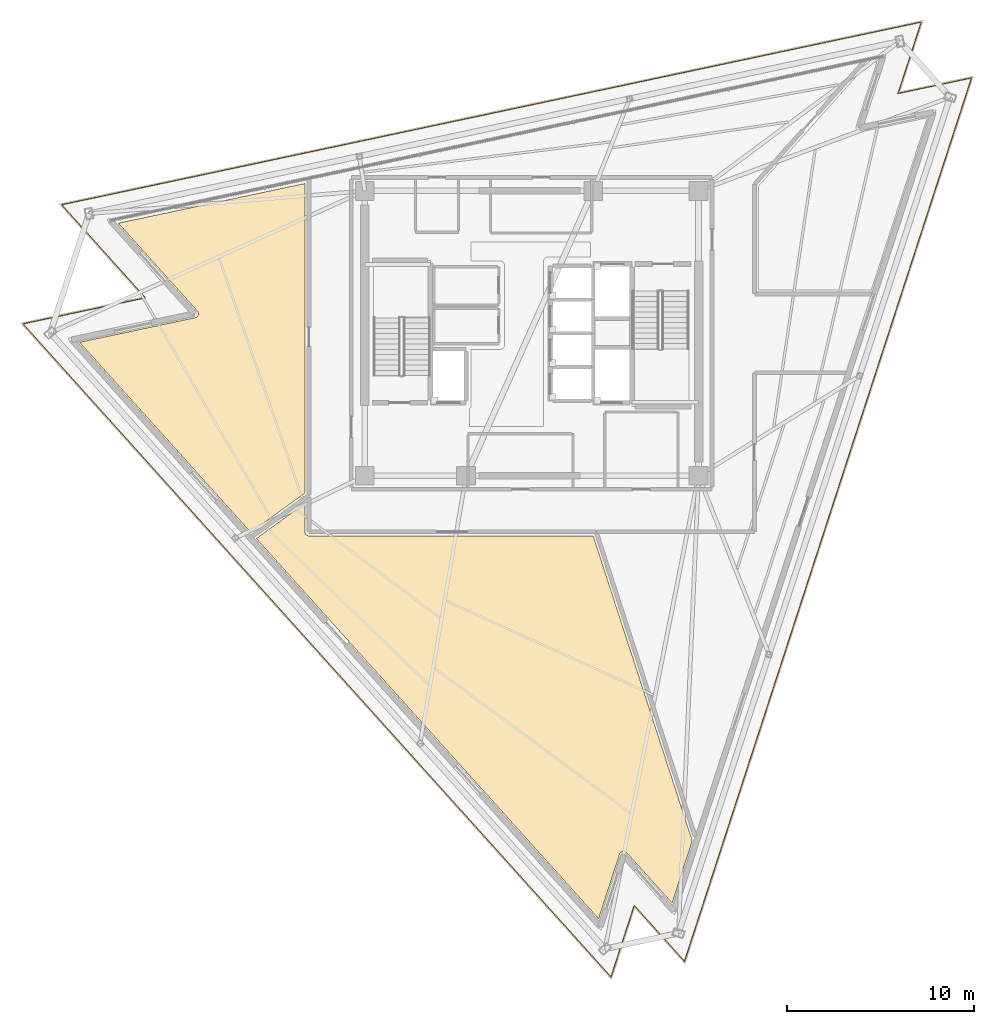
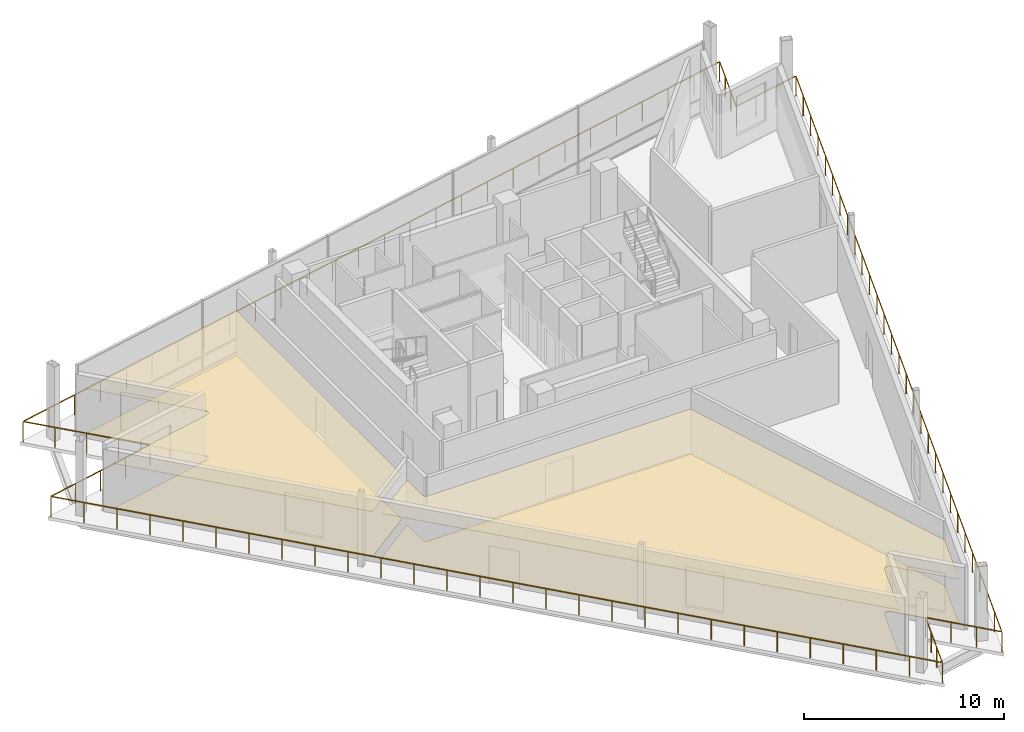
# One storey, part 9 of 11: 4 coverings, 1 railing.
"""IFC4 building model written with IfcOpenShell, lengths in metres."""

from ifc_helpers import new_model, si_unit, direction, frame, origin, origin_2d, place, context, subcontext, project, spatial, polyline, rectangle, outline, extrude, material, layer, layer_set, type_object, element, save


model = new_model("IFC4")

# Units and contexts
model_context = context("Model", 3, precision=1e-05, world=origin(), true_north=direction((0.0, 1.0)))
body_context = subcontext(model_context, "Body", "Model", "MODEL_VIEW")
ifc_project = project(units=[si_unit("LENGTHUNIT", "METRE"), si_unit("AREAUNIT", "SQUARE_METRE"), si_unit("VOLUMEUNIT", "CUBIC_METRE"), si_unit("PLANEANGLEUNIT", "RADIAN"), si_unit("MASSUNIT", "GRAM", prefix="KILO")], contexts=[model_context])

# Site, building, storey
site_placement = place(None, origin())
site = spatial("IfcSite", under=ifc_project, at=site_placement, CompositionType="ELEMENT")
building_placement = place(site_placement, origin())
building = spatial("IfcBuilding", under=site, at=building_placement, Name="Tharavind Bronze Gate", CompositionType="ELEMENT")
storey_placement = place(building_placement, frame((0.0, 0.0, 306.300048828125)))
storey = spatial("IfcBuildingStorey", under=building, at=storey_placement, Name="L79", CompositionType="ELEMENT", Elevation=306.300048828125)

# Coverings
ifc_material_1 = material(Name="Engineered Oak & Carpet Tile", Category="wood")
ifc_layer_1 = layer(ifc_material_1, 0.02490234375)
ifc_layer_set_1 = layer_set([ifc_layer_1], Name="Engineered Oak & Carpet Tile")
covering_type_1 = type_object("IfcCoveringType", Name="ENGINEERED TIMBER FLOORING", PredefinedType="FLOORING", material=ifc_layer_set_1)
covering_1_placement = place(storey_placement, origin())
element("IfcCovering", 1, at=covering_1_placement, inside=storey, type_object=covering_type_1, Name="L79-RM-02 floor finish", PredefinedType="FLOORING", context=body_context, shape_type="SweptSolid", body=[
    extrude(outline(polyline([(-14.9873046875, -10.616943359375), (-12.10009765625, -8.519287109375), (-12.10009765625, 7.993896484375), (-22.0546875, 5.8779296875), (-17.84033203125, 1.197265625), (-17.833251953125, 1.18896484375), (-17.832763671875, 1.1884765625), (-17.81982421875, 1.1708984375), (-17.80859375, 1.15185546875), (-17.799560546875, 1.132080078125), (-17.792236328125, 1.111328125), (-17.787109375, 1.090087890625), (-17.7841796875, 1.068115234375), (-17.783447265625, 1.04638671875), (-17.784912109375, 1.0244140625), (-17.78857421875, 1.002685546875), (-17.794189453125, 0.981689453125), (-17.802001953125, 0.961181640625), (-17.811767578125, 0.94140625), (-17.823486328125, 0.923095703125), (-17.837158203125, 0.90576171875), (-17.852294921875, 0.889892578125), (-17.868896484375, 0.87548828125), (-17.886962890625, 0.863037109375), (-17.906005859375, 0.852294921875), (-17.92626953125, 0.843505859375), (-17.947021484375, 0.8369140625), (-17.947509765625, 0.8369140625), (-17.958251953125, 0.834228515625), (-24.118896484375, -0.47509765625), (-14.9873046875, -10.616943359375)])), origin(), (0.0, 0.0, 1.0), 0.02490234375),
])
ifc_material_2 = material(Name="Acoustic Gypsum Board", Category="gypsum")
ifc_layer_2 = layer(ifc_material_2, 0.030029296875)
ifc_layer_set_2 = layer_set([ifc_layer_2], Name="Acoustic Gypsum Board")
covering_type_2 = type_object("IfcCoveringType", Name="GYPSUM SUSPENDED CEILING", PredefinedType="CEILING", material=ifc_layer_set_2)
covering_2_placement = place(storey_placement, frame((0.0, 0.0, 2.75)))
element("IfcCovering", 2, at=covering_2_placement, inside=storey, type_object=covering_type_2, Name="L79-RM-02 suspended ceiling", PredefinedType="CEILING", context=body_context, shape_type="SweptSolid", body=[
    extrude(outline(polyline([(-14.9873046875, -10.616943359375), (-12.10009765625, -8.519287109375), (-12.10009765625, 7.993896484375), (-22.0546875, 5.8779296875), (-17.84033203125, 1.197265625), (-17.833251953125, 1.18896484375), (-17.832763671875, 1.1884765625), (-17.81982421875, 1.1708984375), (-17.80859375, 1.15185546875), (-17.799560546875, 1.132080078125), (-17.792236328125, 1.111328125), (-17.787109375, 1.090087890625), (-17.7841796875, 1.068115234375), (-17.783447265625, 1.04638671875), (-17.784912109375, 1.0244140625), (-17.78857421875, 1.002685546875), (-17.794189453125, 0.981689453125), (-17.802001953125, 0.961181640625), (-17.811767578125, 0.94140625), (-17.823486328125, 0.923095703125), (-17.837158203125, 0.90576171875), (-17.852294921875, 0.889892578125), (-17.868896484375, 0.87548828125), (-17.886962890625, 0.863037109375), (-17.906005859375, 0.852294921875), (-17.92626953125, 0.843505859375), (-17.947021484375, 0.8369140625), (-17.947509765625, 0.8369140625), (-17.958251953125, 0.834228515625), (-24.118896484375, -0.47509765625), (-14.9873046875, -10.616943359375)])), origin(), (0.0, 0.0, 1.0), 0.034912109375),
])
covering_3_placement = place(storey_placement, frame((0.0, 0.0, 2.75)))
element("IfcCovering", 3, at=covering_3_placement, inside=storey, type_object=covering_type_2, Name="L79-RM-03 suspended ceiling", PredefinedType="CEILING", context=body_context, shape_type="SweptSolid", body=[
    extrude(outline(polyline([(3.56787109375, -31.224609375), (4.6884765625, -27.77587890625), (4.692138671875, -27.765380859375), (4.6923828125, -27.764892578125), (4.701171875, -27.744873046875), (4.7119140625, -27.7255859375), (4.724609375, -27.707763671875), (4.739013671875, -27.691162109375), (4.7548828125, -27.676025390625), (4.772216796875, -27.66259765625), (4.790771484375, -27.651123046875), (4.810302734375, -27.641357421875), (4.8310546875, -27.6337890625), (4.852294921875, -27.628173828125), (4.873779296875, -27.62451171875), (4.895751953125, -27.623291015625), (4.91748046875, -27.6240234375), (4.939208984375, -27.627197265625), (4.960693359375, -27.63232421875), (4.981201171875, -27.6396484375), (5.001220703125, -27.64892578125), (5.02001953125, -27.660400390625), (5.03759765625, -27.67333984375), (5.053955078125, -27.68798828125), (5.05419921875, -27.6884765625), (5.061767578125, -27.696533203125), (7.48828125, -30.391357421875), (8.56591796875, -27.074951171875), (3.27783203125, -10.800048828125), (-11.87939453125, -10.800048828125), (-11.89013671875, -10.7998046875), (-11.890869140625, -10.7998046875), (-11.912353515625, -10.797607421875), (-11.933349609375, -10.79345703125), (-11.9541015625, -10.787109375), (-11.97412109375, -10.77880859375), (-11.9931640625, -10.768798828125), (-12.010986328125, -10.756591796875), (-12.027587890625, -10.742919921875), (-12.04296875, -10.727783203125), (-12.056640625, -10.7109375), (-12.068603515625, -10.693115234375), (-12.078857421875, -10.674072265625), (-12.087158203125, -10.654052734375), (-12.093505859375, -10.63330078125), (-12.09765625, -10.6123046875), (-12.099609375, -10.5908203125), (-12.099609375, -10.590087890625), (-12.10009765625, -10.579345703125), (-12.10009765625, -9.06298828125), (-14.691162109375, -10.94580078125), (3.56787109375, -31.224609375)])), origin(), (0.0, 0.0, 1.0), 0.034912109375),
])
ifc_material_3 = material(Name="Honed Travertine Limestone", Category="masonry")
ifc_layer_3 = layer(ifc_material_3, 0.030029296875)
ifc_layer_set_3 = layer_set([ifc_layer_3], Name="Honed Travertine Limestone")
covering_type_3 = type_object("IfcCoveringType", Name="HONED LIMESTONE FLOORING", PredefinedType="FLOORING", material=ifc_layer_set_3)
covering_4_placement = place(storey_placement, origin())
element("IfcCovering", 4, at=covering_4_placement, inside=storey, type_object=covering_type_3, Name="L79-RM-03 floor finish", PredefinedType="FLOORING", context=body_context, shape_type="SweptSolid", body=[
    extrude(outline(polyline([(3.56787109375, -31.224609375), (4.6884765625, -27.77587890625), (4.692138671875, -27.765380859375), (4.6923828125, -27.764892578125), (4.701171875, -27.744873046875), (4.7119140625, -27.7255859375), (4.724609375, -27.707763671875), (4.739013671875, -27.691162109375), (4.7548828125, -27.676025390625), (4.772216796875, -27.66259765625), (4.790771484375, -27.651123046875), (4.810302734375, -27.641357421875), (4.8310546875, -27.6337890625), (4.852294921875, -27.628173828125), (4.873779296875, -27.62451171875), (4.895751953125, -27.623291015625), (4.91748046875, -27.6240234375), (4.939208984375, -27.627197265625), (4.960693359375, -27.63232421875), (4.981201171875, -27.6396484375), (5.001220703125, -27.64892578125), (5.02001953125, -27.660400390625), (5.03759765625, -27.67333984375), (5.053955078125, -27.68798828125), (5.05419921875, -27.6884765625), (5.061767578125, -27.696533203125), (7.48828125, -30.391357421875), (8.56591796875, -27.074951171875), (3.27783203125, -10.800048828125), (-11.87939453125, -10.800048828125), (-11.89013671875, -10.7998046875), (-11.890869140625, -10.7998046875), (-11.912353515625, -10.797607421875), (-11.933349609375, -10.79345703125), (-11.9541015625, -10.787109375), (-11.97412109375, -10.77880859375), (-11.9931640625, -10.768798828125), (-12.010986328125, -10.756591796875), (-12.027587890625, -10.742919921875), (-12.04296875, -10.727783203125), (-12.056640625, -10.7109375), (-12.068603515625, -10.693115234375), (-12.078857421875, -10.674072265625), (-12.087158203125, -10.654052734375), (-12.093505859375, -10.63330078125), (-12.09765625, -10.6123046875), (-12.099609375, -10.5908203125), (-12.099609375, -10.590087890625), (-12.10009765625, -10.579345703125), (-12.10009765625, -9.06298828125), (-14.691162109375, -10.94580078125), (3.56787109375, -31.224609375)])), origin(), (0.0, 0.0, 1.0), 0.02490234375),
])

# Railing
ifc_material_4 = material(Name="Patinated Bronze & Laminated Glass", Category="glass")
railing_type = type_object("IfcRailingType", Name="OBSERVATION BALUSTRADE 1250", PredefinedType="BALUSTRADE", material=ifc_material_4)
railing_placement = place(storey_placement, frame((-25.0791015625, 6.860595703125, 0.0)))
element("IfcRailing", 5, at=railing_placement, inside=storey, type_object=railing_type, Name="L79 open lookout observation deck bronze balustrade", PredefinedType="BALUSTRADE", context=body_context, shape_type="SweptSolid", body=[
    extrude(rectangle(XDim=0.048095703125, YDim=0.048095703125, at=origin_2d()), frame((0.021484375, -0.023681640625, 1.22607421875), z_axis=(0.669132313306, -0.743143288532, 0.0), x_axis=(0.743143288532, 0.669132313306, 0.0)), (0.0, 0.0, 1.0), 6.615966796875),
    extrude(rectangle(XDim=0.048095703125, YDim=0.048095703125, at=origin_2d()), frame((4.4384765625, -4.970703125, 1.22607421875), z_axis=(-0.978145008547, -0.207923885724, 0.0), x_axis=(0.207923885724, -0.978145008547, 0.0)), (0.0, 0.0, 1.0), 6.615966796875),
    extrude(rectangle(XDim=0.048095703125, YDim=0.048095703125, at=origin_2d()), frame((-2.042724609375, -6.376708984375, 1.22607421875), z_axis=(0.669127547758, -0.743147579442, 0.0), x_axis=(0.743147579442, 0.669127547758, 0.0)), (0.0, 0.0, 1.0), 46.8212890625),
    extrude(rectangle(XDim=0.048095703125, YDim=0.048095703125, at=origin_2d()), frame((29.318115234375, -41.165283203125, 1.22607421875), z_axis=(0.309000678849, 0.951061817376, 0.0), x_axis=(-0.951061817376, 0.309000678849, 0.0)), (0.0, 0.0, 1.0), 3.944091796875),
    extrude(rectangle(XDim=0.048095703125, YDim=0.048095703125, at=origin_2d()), frame((30.568115234375, -37.407470703125, 1.22607421875), z_axis=(0.669132983361, -0.743142685208, 0.0), x_axis=(0.743142685208, 0.669132983361, 0.0)), (0.0, 0.0, 1.0), 3.944091796875),
    extrude(rectangle(XDim=0.048095703125, YDim=0.048095703125, at=origin_2d()), frame((33.238525390625, -40.331787109375, 1.22607421875), z_axis=(0.309021128314, 0.951055173087, 0.0), x_axis=(-0.951055173087, 0.309021128314, 0.0)), (0.0, 0.0, 1.0), 49.4931640625),
    extrude(rectangle(XDim=0.048095703125, YDim=0.048095703125, at=origin_2d()), frame((48.511474609375, 6.7626953125, 1.22607421875), z_axis=(-0.97815049033, -0.207898095871, 0.0), x_axis=(0.207898095871, -0.97815049033, 0.0)), (0.0, 0.0, 1.0), 3.944091796875),
    extrude(rectangle(XDim=0.048095703125, YDim=0.048095703125, at=origin_2d()), frame((44.63232421875, 5.966552734375, 1.22607421875), z_axis=(0.309000678849, 0.951061817376, 0.0), x_axis=(-0.951061817376, 0.309000678849, 0.0)), (0.0, 0.0, 1.0), 3.944091796875),
    extrude(rectangle(XDim=0.048095703125, YDim=0.048095703125, at=origin_2d()), frame((45.82958984375, 9.741455078125, 1.22607421875), z_axis=(-0.978147494713, -0.207912189607, 0.0), x_axis=(0.207912189607, -0.978147494713, 0.0)), (0.0, 0.0, 1.0), 46.8212890625),
    extrude(rectangle(XDim=0.0400390625, YDim=0.0400390625, at=origin_2d()), origin(), (0.0, 0.0, 1.0), 1.197998046875),
    extrude(rectangle(XDim=0.0400390625, YDim=0.0400390625, at=origin_2d()), frame((1.117431640625, -1.240966796875, 0.0)), (0.0, 0.0, 1.0), 1.197998046875),
    extrude(rectangle(XDim=0.0400390625, YDim=0.0400390625, at=origin_2d()), frame((2.23486328125, -2.48193359375, 0.0)), (0.0, 0.0, 1.0), 1.197998046875),
    extrude(rectangle(XDim=0.0400390625, YDim=0.0400390625, at=origin_2d()), frame((3.352294921875, -3.72314453125, 0.0)), (0.0, 0.0, 1.0), 1.197998046875),
    extrude(rectangle(XDim=0.0400390625, YDim=0.0400390625, at=origin_2d()), frame((4.4697265625, -4.964111328125, 0.0)), (0.0, 0.0, 1.0), 1.197998046875),
    extrude(rectangle(XDim=0.0400390625, YDim=0.0400390625, at=origin_2d()), frame((2.836181640625, -5.311279296875, 0.0)), (0.0, 0.0, 1.0), 1.197998046875),
    extrude(rectangle(XDim=0.0400390625, YDim=0.0400390625, at=origin_2d()), frame((1.20263671875, -5.65869140625, 0.0)), (0.0, 0.0, 1.0), 1.197998046875),
    extrude(rectangle(XDim=0.0400390625, YDim=0.0400390625, at=origin_2d()), frame((-0.4306640625, -6.005859375, 0.0)), (0.0, 0.0, 1.0), 1.197998046875),
    extrude(rectangle(XDim=0.0400390625, YDim=0.0400390625, at=origin_2d()), frame((-2.064208984375, -6.35302734375, 0.0)), (0.0, 0.0, 1.0), 1.197998046875),
    extrude(rectangle(XDim=0.0400390625, YDim=0.0400390625, at=origin_2d()), frame((-0.90234375, -7.6435546875, 0.0)), (0.0, 0.0, 1.0), 1.197998046875),
    extrude(rectangle(XDim=0.0400390625, YDim=0.0400390625, at=origin_2d()), frame((0.259765625, -8.93408203125, 0.0)), (0.0, 0.0, 1.0), 1.197998046875),
    extrude(rectangle(XDim=0.0400390625, YDim=0.0400390625, at=origin_2d()), frame((1.421630859375, -10.224365234375, 0.0)), (0.0, 0.0, 1.0), 1.197998046875),
    extrude(rectangle(XDim=0.0400390625, YDim=0.0400390625, at=origin_2d()), frame((2.58349609375, -11.514892578125, 0.0)), (0.0, 0.0, 1.0), 1.197998046875),
    extrude(rectangle(XDim=0.0400390625, YDim=0.0400390625, at=origin_2d()), frame((3.745361328125, -12.805419921875, 0.0)), (0.0, 0.0, 1.0), 1.197998046875),
    extrude(rectangle(XDim=0.0400390625, YDim=0.0400390625, at=origin_2d()), frame((4.907470703125, -14.095947265625, 0.0)), (0.0, 0.0, 1.0), 1.197998046875),
    extrude(rectangle(XDim=0.0400390625, YDim=0.0400390625, at=origin_2d()), frame((6.0693359375, -15.38623046875, 0.0)), (0.0, 0.0, 1.0), 1.197998046875),
    extrude(rectangle(XDim=0.0400390625, YDim=0.0400390625, at=origin_2d()), frame((7.231201171875, -16.6767578125, 0.0)), (0.0, 0.0, 1.0), 1.197998046875),
    extrude(rectangle(XDim=0.0400390625, YDim=0.0400390625, at=origin_2d()), frame((8.393310546875, -17.96728515625, 0.0)), (0.0, 0.0, 1.0), 1.197998046875),
    extrude(rectangle(XDim=0.0400390625, YDim=0.0400390625, at=origin_2d()), frame((9.55517578125, -19.2578125, 0.0)), (0.0, 0.0, 1.0), 1.197998046875),
    extrude(rectangle(XDim=0.0400390625, YDim=0.0400390625, at=origin_2d()), frame((10.717041015625, -20.54833984375, 0.0)), (0.0, 0.0, 1.0), 1.197998046875),
    extrude(rectangle(XDim=0.0400390625, YDim=0.0400390625, at=origin_2d()), frame((11.879150390625, -21.838623046875, 0.0)), (0.0, 0.0, 1.0), 1.197998046875),
    extrude(rectangle(XDim=0.0400390625, YDim=0.0400390625, at=origin_2d()), frame((13.041015625, -23.129150390625, 0.0)), (0.0, 0.0, 1.0), 1.197998046875),
    extrude(rectangle(XDim=0.0400390625, YDim=0.0400390625, at=origin_2d()), frame((14.202880859375, -24.419677734375, 0.0)), (0.0, 0.0, 1.0), 1.197998046875),
    extrude(rectangle(XDim=0.0400390625, YDim=0.0400390625, at=origin_2d()), frame((15.36474609375, -25.710205078125, 0.0)), (0.0, 0.0, 1.0), 1.197998046875),
    extrude(rectangle(XDim=0.0400390625, YDim=0.0400390625, at=origin_2d()), frame((16.52685546875, -27.00048828125, 0.0)), (0.0, 0.0, 1.0), 1.197998046875),
    extrude(rectangle(XDim=0.0400390625, YDim=0.0400390625, at=origin_2d()), frame((17.688720703125, -28.291015625, 0.0)), (0.0, 0.0, 1.0), 1.197998046875),
    extrude(rectangle(XDim=0.0400390625, YDim=0.0400390625, at=origin_2d()), frame((18.8505859375, -29.58154296875, 0.0)), (0.0, 0.0, 1.0), 1.197998046875),
    extrude(rectangle(XDim=0.0400390625, YDim=0.0400390625, at=origin_2d()), frame((20.0126953125, -30.8720703125, 0.0)), (0.0, 0.0, 1.0), 1.197998046875),
    extrude(rectangle(XDim=0.0400390625, YDim=0.0400390625, at=origin_2d()), frame((21.174560546875, -32.16259765625, 0.0)), (0.0, 0.0, 1.0), 1.197998046875),
    extrude(rectangle(XDim=0.0400390625, YDim=0.0400390625, at=origin_2d()), frame((22.33642578125, -33.452880859375, 0.0)), (0.0, 0.0, 1.0), 1.197998046875),
    extrude(rectangle(XDim=0.0400390625, YDim=0.0400390625, at=origin_2d()), frame((23.49853515625, -34.743408203125, 0.0)), (0.0, 0.0, 1.0), 1.197998046875),
    extrude(rectangle(XDim=0.0400390625, YDim=0.0400390625, at=origin_2d()), frame((24.660400390625, -36.033935546875, 0.0)), (0.0, 0.0, 1.0), 1.197998046875),
    extrude(rectangle(XDim=0.0400390625, YDim=0.0400390625, at=origin_2d()), frame((25.822265625, -37.324462890625, 0.0)), (0.0, 0.0, 1.0), 1.197998046875),
    extrude(rectangle(XDim=0.0400390625, YDim=0.0400390625, at=origin_2d()), frame((26.984130859375, -38.61474609375, 0.0)), (0.0, 0.0, 1.0), 1.197998046875),
    extrude(rectangle(XDim=0.0400390625, YDim=0.0400390625, at=origin_2d()), frame((28.146240234375, -39.9052734375, 0.0)), (0.0, 0.0, 1.0), 1.197998046875),
    extrude(rectangle(XDim=0.0400390625, YDim=0.0400390625, at=origin_2d()), frame((29.30810546875, -41.19580078125, 0.0)), (0.0, 0.0, 1.0), 1.197998046875),
    extrude(rectangle(XDim=0.0400390625, YDim=0.0400390625, at=origin_2d()), frame((29.720947265625, -39.925048828125, 0.0)), (0.0, 0.0, 1.0), 1.197998046875),
    extrude(rectangle(XDim=0.0400390625, YDim=0.0400390625, at=origin_2d()), frame((30.1337890625, -38.654541015625, 0.0)), (0.0, 0.0, 1.0), 1.197998046875),
    extrude(rectangle(XDim=0.0400390625, YDim=0.0400390625, at=origin_2d()), frame((30.546630859375, -37.3837890625, 0.0)), (0.0, 0.0, 1.0), 1.197998046875),
    extrude(rectangle(XDim=0.0400390625, YDim=0.0400390625, at=origin_2d()), frame((31.440673828125, -38.376708984375, 0.0)), (0.0, 0.0, 1.0), 1.197998046875),
    extrude(rectangle(XDim=0.0400390625, YDim=0.0400390625, at=origin_2d()), frame((32.33447265625, -39.369384765625, 0.0)), (0.0, 0.0, 1.0), 1.197998046875),
    extrude(rectangle(XDim=0.0400390625, YDim=0.0400390625, at=origin_2d()), frame((33.228515625, -40.3623046875, 0.0)), (0.0, 0.0, 1.0), 1.197998046875),
    extrude(rectangle(XDim=0.0400390625, YDim=0.0400390625, at=origin_2d()), frame((33.775390625, -38.678955078125, 0.0)), (0.0, 0.0, 1.0), 1.197998046875),
    extrude(rectangle(XDim=0.0400390625, YDim=0.0400390625, at=origin_2d()), frame((34.322265625, -36.995849609375, 0.0)), (0.0, 0.0, 1.0), 1.197998046875),
    extrude(rectangle(XDim=0.0400390625, YDim=0.0400390625, at=origin_2d()), frame((34.869384765625, -35.3125, 0.0)), (0.0, 0.0, 1.0), 1.197998046875),
    extrude(rectangle(XDim=0.0400390625, YDim=0.0400390625, at=origin_2d()), frame((35.416259765625, -33.629150390625, 0.0)), (0.0, 0.0, 1.0), 1.197998046875),
    extrude(rectangle(XDim=0.0400390625, YDim=0.0400390625, at=origin_2d()), frame((35.963134765625, -31.946044921875, 0.0)), (0.0, 0.0, 1.0), 1.197998046875),
    extrude(rectangle(XDim=0.0400390625, YDim=0.0400390625, at=origin_2d()), frame((36.51025390625, -30.2626953125, 0.0)), (0.0, 0.0, 1.0), 1.197998046875),
    extrude(rectangle(XDim=0.0400390625, YDim=0.0400390625, at=origin_2d()), frame((37.05712890625, -28.579345703125, 0.0)), (0.0, 0.0, 1.0), 1.197998046875),
    extrude(rectangle(XDim=0.0400390625, YDim=0.0400390625, at=origin_2d()), frame((37.60400390625, -26.896240234375, 0.0)), (0.0, 0.0, 1.0), 1.197998046875),
    extrude(rectangle(XDim=0.0400390625, YDim=0.0400390625, at=origin_2d()), frame((38.15087890625, -25.212890625, 0.0)), (0.0, 0.0, 1.0), 1.197998046875),
    extrude(rectangle(XDim=0.0400390625, YDim=0.0400390625, at=origin_2d()), frame((38.69775390625, -23.529541015625, 0.0)), (0.0, 0.0, 1.0), 1.197998046875),
    extrude(rectangle(XDim=0.0400390625, YDim=0.0400390625, at=origin_2d()), frame((39.244873046875, -21.846435546875, 0.0)), (0.0, 0.0, 1.0), 1.197998046875),
    extrude(rectangle(XDim=0.0400390625, YDim=0.0400390625, at=origin_2d()), frame((39.791748046875, -20.1630859375, 0.0)), (0.0, 0.0, 1.0), 1.197998046875),
    extrude(rectangle(XDim=0.0400390625, YDim=0.0400390625, at=origin_2d()), frame((40.338623046875, -18.479736328125, 0.0)), (0.0, 0.0, 1.0), 1.197998046875),
    extrude(rectangle(XDim=0.0400390625, YDim=0.0400390625, at=origin_2d()), frame((40.8857421875, -16.79638671875, 0.0)), (0.0, 0.0, 1.0), 1.197998046875),
    extrude(rectangle(XDim=0.0400390625, YDim=0.0400390625, at=origin_2d()), frame((41.4326171875, -15.11328125, 0.0)), (0.0, 0.0, 1.0), 1.197998046875),
    extrude(rectangle(XDim=0.0400390625, YDim=0.0400390625, at=origin_2d()), frame((41.9794921875, -13.429931640625, 0.0)), (0.0, 0.0, 1.0), 1.197998046875),
    extrude(rectangle(XDim=0.0400390625, YDim=0.0400390625, at=origin_2d()), frame((42.5263671875, -11.74658203125, 0.0)), (0.0, 0.0, 1.0), 1.197998046875),
    extrude(rectangle(XDim=0.0400390625, YDim=0.0400390625, at=origin_2d()), frame((43.0732421875, -10.0634765625, 0.0)), (0.0, 0.0, 1.0), 1.197998046875),
    extrude(rectangle(XDim=0.0400390625, YDim=0.0400390625, at=origin_2d()), frame((43.620361328125, -8.380126953125, 0.0)), (0.0, 0.0, 1.0), 1.197998046875),
    extrude(rectangle(XDim=0.0400390625, YDim=0.0400390625, at=origin_2d()), frame((44.167236328125, -6.69677734375, 0.0)), (0.0, 0.0, 1.0), 1.197998046875),
    extrude(rectangle(XDim=0.0400390625, YDim=0.0400390625, at=origin_2d()), frame((44.714111328125, -5.013671875, 0.0)), (0.0, 0.0, 1.0), 1.197998046875),
    extrude(rectangle(XDim=0.0400390625, YDim=0.0400390625, at=origin_2d()), frame((45.26123046875, -3.330322265625, 0.0)), (0.0, 0.0, 1.0), 1.197998046875),
    extrude(rectangle(XDim=0.0400390625, YDim=0.0400390625, at=origin_2d()), frame((45.80810546875, -1.64697265625, 0.0)), (0.0, 0.0, 1.0), 1.197998046875),
    extrude(rectangle(XDim=0.0400390625, YDim=0.0400390625, at=origin_2d()), frame((46.35498046875, 0.0361328125, 0.0)), (0.0, 0.0, 1.0), 1.197998046875),
    extrude(rectangle(XDim=0.0400390625, YDim=0.0400390625, at=origin_2d()), frame((46.90185546875, 1.719482421875, 0.0)), (0.0, 0.0, 1.0), 1.197998046875),
    extrude(rectangle(XDim=0.0400390625, YDim=0.0400390625, at=origin_2d()), frame((47.44873046875, 3.40283203125, 0.0)), (0.0, 0.0, 1.0), 1.197998046875),
    extrude(rectangle(XDim=0.0400390625, YDim=0.0400390625, at=origin_2d()), frame((47.995849609375, 5.0859375, 0.0)), (0.0, 0.0, 1.0), 1.197998046875),
    extrude(rectangle(XDim=0.0400390625, YDim=0.0400390625, at=origin_2d()), frame((48.542724609375, 6.769287109375, 0.0)), (0.0, 0.0, 1.0), 1.197998046875),
    extrude(rectangle(XDim=0.0400390625, YDim=0.0400390625, at=origin_2d()), frame((47.23583984375, 6.491455078125, 0.0)), (0.0, 0.0, 1.0), 1.197998046875),
    extrude(rectangle(XDim=0.0400390625, YDim=0.0400390625, at=origin_2d()), frame((45.92919921875, 6.2138671875, 0.0)), (0.0, 0.0, 1.0), 1.197998046875),
    extrude(rectangle(XDim=0.0400390625, YDim=0.0400390625, at=origin_2d()), frame((44.622314453125, 5.93603515625, 0.0)), (0.0, 0.0, 1.0), 1.197998046875),
    extrude(rectangle(XDim=0.0400390625, YDim=0.0400390625, at=origin_2d()), frame((45.03515625, 7.206787109375, 0.0)), (0.0, 0.0, 1.0), 1.197998046875),
    extrude(rectangle(XDim=0.0400390625, YDim=0.0400390625, at=origin_2d()), frame((45.447998046875, 8.477294921875, 0.0)), (0.0, 0.0, 1.0), 1.197998046875),
    extrude(rectangle(XDim=0.0400390625, YDim=0.0400390625, at=origin_2d()), frame((45.86083984375, 9.748046875, 0.0)), (0.0, 0.0, 1.0), 1.197998046875),
    extrude(rectangle(XDim=0.0400390625, YDim=0.0400390625, at=origin_2d()), frame((44.162353515625, 9.386962890625, 0.0)), (0.0, 0.0, 1.0), 1.197998046875),
    extrude(rectangle(XDim=0.0400390625, YDim=0.0400390625, at=origin_2d()), frame((42.463623046875, 9.02587890625, 0.0)), (0.0, 0.0, 1.0), 1.197998046875),
    extrude(rectangle(XDim=0.0400390625, YDim=0.0400390625, at=origin_2d()), frame((40.76513671875, 8.6650390625, 0.0)), (0.0, 0.0, 1.0), 1.197998046875),
    extrude(rectangle(XDim=0.0400390625, YDim=0.0400390625, at=origin_2d()), frame((39.066650390625, 8.303955078125, 0.0)), (0.0, 0.0, 1.0), 1.197998046875),
    extrude(rectangle(XDim=0.0400390625, YDim=0.0400390625, at=origin_2d()), frame((37.3681640625, 7.94287109375, 0.0)), (0.0, 0.0, 1.0), 1.197998046875),
    extrude(rectangle(XDim=0.0400390625, YDim=0.0400390625, at=origin_2d()), frame((35.66943359375, 7.581787109375, 0.0)), (0.0, 0.0, 1.0), 1.197998046875),
    extrude(rectangle(XDim=0.0400390625, YDim=0.0400390625, at=origin_2d()), frame((33.970947265625, 7.220703125, 0.0)), (0.0, 0.0, 1.0), 1.197998046875),
    extrude(rectangle(XDim=0.0400390625, YDim=0.0400390625, at=origin_2d()), frame((32.2724609375, 6.859619140625, 0.0)), (0.0, 0.0, 1.0), 1.197998046875),
    extrude(rectangle(XDim=0.0400390625, YDim=0.0400390625, at=origin_2d()), frame((30.573974609375, 6.498779296875, 0.0)), (0.0, 0.0, 1.0), 1.197998046875),
    extrude(rectangle(XDim=0.0400390625, YDim=0.0400390625, at=origin_2d()), frame((28.875244140625, 6.1376953125, 0.0)), (0.0, 0.0, 1.0), 1.197998046875),
    extrude(rectangle(XDim=0.0400390625, YDim=0.0400390625, at=origin_2d()), frame((27.1767578125, 5.776611328125, 0.0)), (0.0, 0.0, 1.0), 1.197998046875),
    extrude(rectangle(XDim=0.0400390625, YDim=0.0400390625, at=origin_2d()), frame((25.478271484375, 5.41552734375, 0.0)), (0.0, 0.0, 1.0), 1.197998046875),
    extrude(rectangle(XDim=0.0400390625, YDim=0.0400390625, at=origin_2d()), frame((23.77978515625, 5.054443359375, 0.0)), (0.0, 0.0, 1.0), 1.197998046875),
    extrude(rectangle(XDim=0.0400390625, YDim=0.0400390625, at=origin_2d()), frame((22.0810546875, 4.693603515625, 0.0)), (0.0, 0.0, 1.0), 1.197998046875),
    extrude(rectangle(XDim=0.0400390625, YDim=0.0400390625, at=origin_2d()), frame((20.382568359375, 4.33251953125, 0.0)), (0.0, 0.0, 1.0), 1.197998046875),
    extrude(rectangle(XDim=0.0400390625, YDim=0.0400390625, at=origin_2d()), frame((18.68408203125, 3.971435546875, 0.0)), (0.0, 0.0, 1.0), 1.197998046875),
    extrude(rectangle(XDim=0.0400390625, YDim=0.0400390625, at=origin_2d()), frame((16.985595703125, 3.6103515625, 0.0)), (0.0, 0.0, 1.0), 1.197998046875),
    extrude(rectangle(XDim=0.0400390625, YDim=0.0400390625, at=origin_2d()), frame((15.286865234375, 3.249267578125, 0.0)), (0.0, 0.0, 1.0), 1.197998046875),
    extrude(rectangle(XDim=0.0400390625, YDim=0.0400390625, at=origin_2d()), frame((13.58837890625, 2.888427734375, 0.0)), (0.0, 0.0, 1.0), 1.197998046875),
    extrude(rectangle(XDim=0.0400390625, YDim=0.0400390625, at=origin_2d()), frame((11.889892578125, 2.52734375, 0.0)), (0.0, 0.0, 1.0), 1.197998046875),
    extrude(rectangle(XDim=0.0400390625, YDim=0.0400390625, at=origin_2d()), frame((10.19140625, 2.166259765625, 0.0)), (0.0, 0.0, 1.0), 1.197998046875),
    extrude(rectangle(XDim=0.0400390625, YDim=0.0400390625, at=origin_2d()), frame((8.49267578125, 1.80517578125, 0.0)), (0.0, 0.0, 1.0), 1.197998046875),
    extrude(rectangle(XDim=0.0400390625, YDim=0.0400390625, at=origin_2d()), frame((6.794189453125, 1.444091796875, 0.0)), (0.0, 0.0, 1.0), 1.197998046875),
    extrude(rectangle(XDim=0.0400390625, YDim=0.0400390625, at=origin_2d()), frame((5.095703125, 1.0830078125, 0.0)), (0.0, 0.0, 1.0), 1.197998046875),
    extrude(rectangle(XDim=0.0400390625, YDim=0.0400390625, at=origin_2d()), frame((3.397216796875, 0.72216796875, 0.0)), (0.0, 0.0, 1.0), 1.197998046875),
    extrude(rectangle(XDim=0.0400390625, YDim=0.0400390625, at=origin_2d()), frame((1.698486328125, 0.361083984375, 0.0)), (0.0, 0.0, 1.0), 1.197998046875),
])

save(model, "model.ifc")
